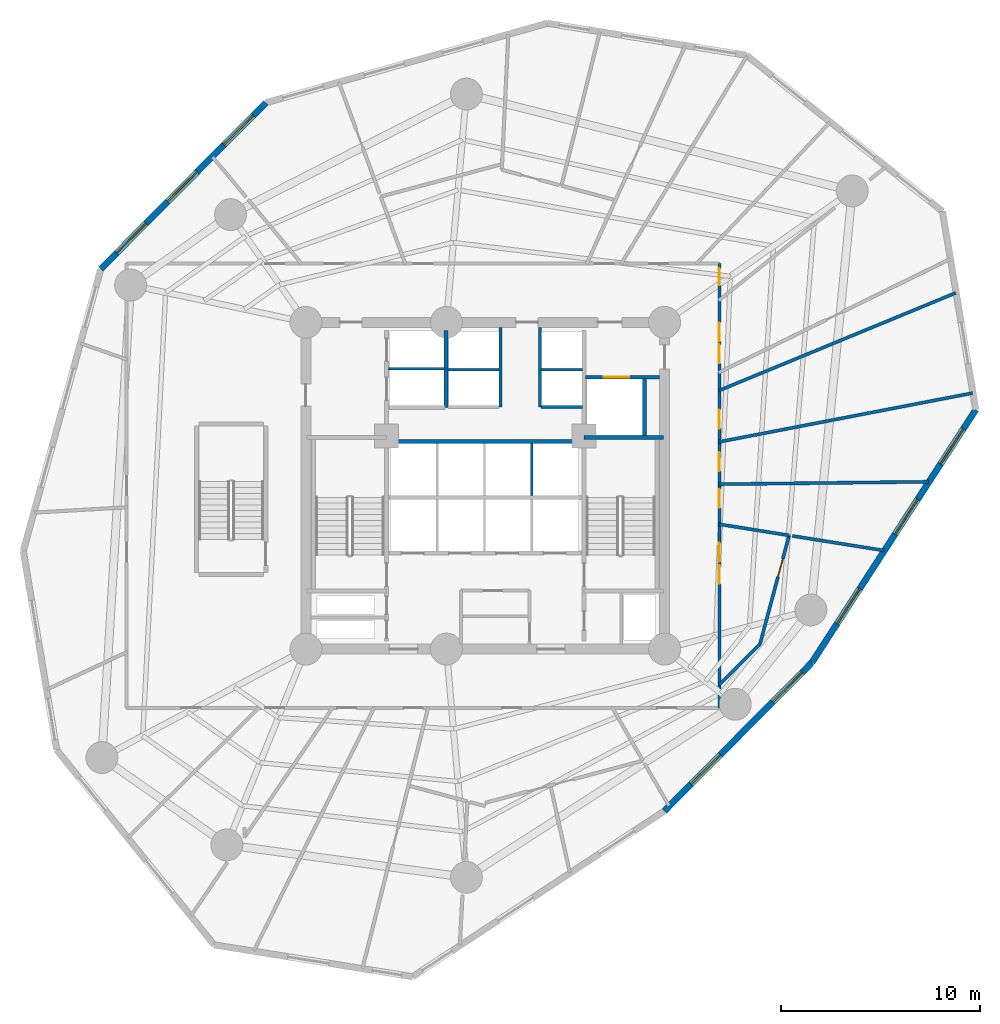
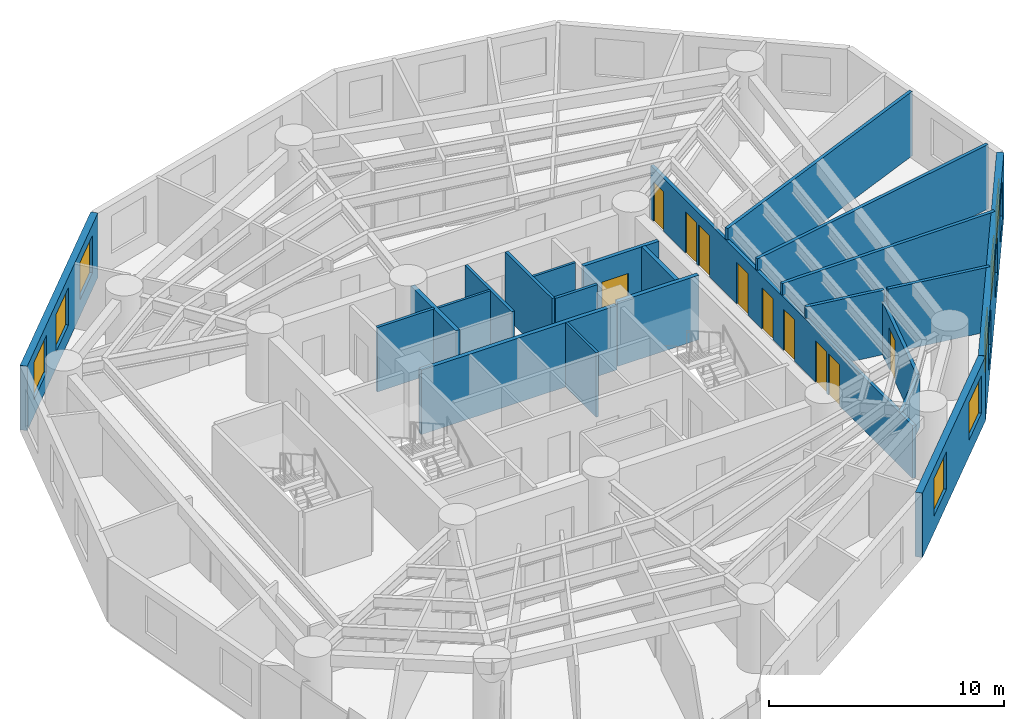
# One storey, part 5 of 8: 23 walls, 10 doors, 8 windows, 18 openings.
"""IFC4 building model written with IfcOpenShell, lengths in metres."""

from ifc_helpers import new_model, si_unit, direction, frame, frame_2d, origin, origin_with_axes, place, context, subcontext, project, spatial, rectangle, extrude, source, transform, mapped, material, layer, layer_set, type_object, element, fill, save


model = new_model("IFC4")

# Units and contexts
model_context = context("Model", 3, precision=1e-05, world=origin(), true_north=direction((0.0, 1.0)))
body_context = subcontext(model_context, "Body", "Model", "MODEL_VIEW")
ifc_project = project(units=[si_unit("LENGTHUNIT", "METRE"), si_unit("AREAUNIT", "SQUARE_METRE"), si_unit("VOLUMEUNIT", "CUBIC_METRE"), si_unit("PLANEANGLEUNIT", "RADIAN"), si_unit("MASSUNIT", "GRAM", prefix="KILO")], contexts=[model_context])

# Site, building, storey
site_placement = place(None, origin())
site = spatial("IfcSite", under=ifc_project, at=site_placement, CompositionType="ELEMENT")
building_placement = place(site_placement, origin())
building = spatial("IfcBuilding", under=site, at=building_placement, Name="Karkom Vertical University and Central Library", CompositionType="ELEMENT")
storey_placement = place(building_placement, frame((0.0, 0.0, 73.300048828125)))
storey = spatial("IfcBuildingStorey", under=building, at=storey_placement, Name="L19", CompositionType="ELEMENT", Elevation=73.300048828125)

# Wall, openings, windows
ifc_material_1 = material(Name="Brick-faced precast concrete C45/55", Category="masonry")
ifc_layer_1 = layer(ifc_material_1, 0.320068359375)
ifc_layer_set_1 = layer_set([ifc_layer_1], Name="Brick-faced precast concrete C45/55")
wall_type_1 = type_object("IfcWallType", Name="ENV-WL-BRK-320", PredefinedType="SOLIDWALL", material=ifc_layer_set_1)
wall_1_placement = place(storey_placement, frame((17.49169921875, 45.73095703125, 0.0), z_axis=(0.0, 0.0, 1.0), x_axis=(-0.704635745624, -0.709569211557, 0.0)))
wall_1 = element("IfcWall", 1, at=wall_1_placement, inside=storey, type_object=wall_type_1, Name="Level 19 Brick-Faced Precast Facade Wall 01", PredefinedType="SOLIDWALL", context=body_context, shape_type="SweptSolid", body=[
    extrude(rectangle(XDim=11.77783203125, YDim=0.320068359375, at=frame_2d((5.888916015625, 0.0))), origin(), (0.0, 0.0, 1.0), 3.349853515625),
])
opening_1_placement = place(wall_1_placement, frame((0.894287109375, 0.0, 0.85009765625)))
opening_1 = element("IfcOpeningElement", 2, at=opening_1_placement, cuts=wall_1, Name="Opening WN-03", PredefinedType="OPENING", context=body_context, shape_type="SweptSolid", body=[
    extrude(rectangle(XDim=2.10009765625, YDim=1.949951171875, at=frame_2d((1.050048828125, 0.97509765625))), frame((0.0, 0.169921875, 0.0), z_axis=(0.0, -1.0, 0.0), x_axis=(1.0, 0.0, 0.0)), (0.0, 0.0, 1.0), 0.340087890625),
])
opening_2_placement = place(wall_1_placement, frame((4.910888671875, 0.0, 0.85009765625)))
opening_2 = element("IfcOpeningElement", 3, at=opening_2_placement, cuts=wall_1, Name="Opening WN-03", PredefinedType="OPENING", context=body_context, shape_type="SweptSolid", body=[
    extrude(rectangle(XDim=2.10009765625, YDim=1.949951171875, at=frame_2d((1.050048828125, 0.97509765625))), frame((0.0, 0.169921875, 0.0), z_axis=(0.0, -1.0, 0.0), x_axis=(1.0, 0.0, 0.0)), (0.0, 0.0, 1.0), 0.340087890625),
])
opening_3_placement = place(wall_1_placement, frame((8.535400390625, 0.0, 0.85009765625)))
opening_3 = element("IfcOpeningElement", 4, at=opening_3_placement, cuts=wall_1, Name="Opening WN-03", PredefinedType="OPENING", context=body_context, shape_type="SweptSolid", body=[
    extrude(rectangle(XDim=2.10009765625, YDim=1.949951171875, at=frame_2d((1.050048828125, 0.97509765625))), frame((0.0, 0.169921875, 0.0), z_axis=(0.0, -1.0, 0.0), x_axis=(1.0, 0.0, 0.0)), (0.0, 0.0, 1.0), 0.340087890625),
])
ifc_material_2 = material(Name="Aluminium thermal-break frame with solar-control IGU", Category="aluminium")
window_type = type_object("IfcWindowType", Name="ENV-WIN-WN-03", PartitioningType="SINGLE_PANEL", PredefinedType="WINDOW", material=ifc_material_2)
shared_shape_1 = source(origin_with_axes(), body_context, "Body", "SweptSolid", [
    extrude(rectangle(XDim=2.10009765625, YDim=1.949951171875, at=frame_2d((1.050048828125, 0.97509765625))), frame((0.0, 0.030029296875, 0.0), z_axis=(0.0, -1.0, 0.0), x_axis=(1.0, 0.0, 0.0)), (0.0, 0.0, 1.0), 0.06005859375),
])
window_1_placement = place(opening_1_placement, origin())
window_1 = element("IfcWindow", 5, at=window_1_placement, inside=storey, type_object=window_type, Name="Level 19 Punched Window 1.1", OverallHeight=1.949951171875, OverallWidth=2.10009765625, PartitioningType="SINGLE_PANEL", PredefinedType="WINDOW", context=body_context, shape_type="MappedRepresentation", body=[
    mapped(shared_shape_1, transform((0.0, 0.0, 0.0), scale=1.0)),
])
fill(opening_1, window_1)
window_2_placement = place(opening_2_placement, origin())
window_2 = element("IfcWindow", 6, at=window_2_placement, inside=storey, type_object=window_type, Name="Level 19 Punched Window 1.2", OverallHeight=1.949951171875, OverallWidth=2.10009765625, PartitioningType="SINGLE_PANEL", PredefinedType="WINDOW", context=body_context, shape_type="MappedRepresentation", body=[
    mapped(shared_shape_1, transform((0.0, 0.0, 0.0), scale=1.0)),
])
fill(opening_2, window_2)
window_3_placement = place(opening_3_placement, origin())
window_3 = element("IfcWindow", 7, at=window_3_placement, inside=storey, type_object=window_type, Name="Level 19 Punched Window 1.3", OverallHeight=1.949951171875, OverallWidth=2.10009765625, PartitioningType="SINGLE_PANEL", PredefinedType="WINDOW", context=body_context, shape_type="MappedRepresentation", body=[
    mapped(shared_shape_1, transform((0.0, 0.0, 0.0), scale=1.0)),
])
fill(opening_3, window_3)

wall_2_placement = place(storey_placement, frame((37.4873046875, 10.16552734375, 0.0), z_axis=(0.0, 0.0, 1.0), x_axis=(0.704618179105, 0.709586655507, 0.0)))
wall_2 = element("IfcWall", 8, at=wall_2_placement, inside=storey, type_object=wall_type_1, Name="Level 19 Brick-Faced Precast Facade Wall 07", PredefinedType="SOLIDWALL", context=body_context, shape_type="SweptSolid", body=[
    extrude(rectangle(XDim=10.515625, YDim=0.320068359375, at=frame_2d((5.2578125, 0.0))), origin(), (0.0, 0.0, 1.0), 3.349853515625),
])
opening_4_placement = place(wall_2_placement, frame((1.899658203125, 0.0, 0.85009765625)))
opening_4 = element("IfcOpeningElement", 9, at=opening_4_placement, cuts=wall_2, Name="Opening WN-03", PredefinedType="OPENING", context=body_context, shape_type="SweptSolid", body=[
    extrude(rectangle(XDim=2.10009765625, YDim=1.949951171875, at=frame_2d((1.050048828125, 0.97509765625))), frame((0.0, 0.169921875, 0.0), z_axis=(0.0, -1.0, 0.0), x_axis=(1.0, 0.0, 0.0)), (0.0, 0.0, 1.0), 0.340087890625),
])
opening_5_placement = place(wall_2_placement, frame((7.724853515625, 0.0, 0.85009765625)))
opening_5 = element("IfcOpeningElement", 10, at=opening_5_placement, cuts=wall_2, Name="Opening WN-03", PredefinedType="OPENING", context=body_context, shape_type="SweptSolid", body=[
    extrude(rectangle(XDim=2.10009765625, YDim=1.949951171875, at=frame_2d((1.050048828125, 0.97509765625))), frame((0.0, 0.169921875, 0.0), z_axis=(0.0, -1.0, 0.0), x_axis=(1.0, 0.0, 0.0)), (0.0, 0.0, 1.0), 0.340087890625),
])
window_4_placement = place(opening_4_placement, origin())
window_4 = element("IfcWindow", 11, at=window_4_placement, inside=storey, type_object=window_type, Name="Level 19 Punched Window 7.1", OverallHeight=1.949951171875, OverallWidth=2.10009765625, PartitioningType="SINGLE_PANEL", PredefinedType="WINDOW", context=body_context, shape_type="MappedRepresentation", body=[
    mapped(shared_shape_1, transform((0.0, 0.0, 0.0), scale=1.0)),
])
fill(opening_4, window_4)
window_5_placement = place(opening_5_placement, origin())
window_5 = element("IfcWindow", 12, at=window_5_placement, inside=storey, type_object=window_type, Name="Level 19 Punched Window 7.2", OverallHeight=1.949951171875, OverallWidth=2.10009765625, PartitioningType="SINGLE_PANEL", PredefinedType="WINDOW", context=body_context, shape_type="MappedRepresentation", body=[
    mapped(shared_shape_1, transform((0.0, 0.0, 0.0), scale=1.0)),
])
fill(opening_5, window_5)

wall_3_placement = place(storey_placement, frame((44.896728515625, 17.627197265625, 0.0), z_axis=(0.0, 0.0, 1.0), x_axis=(0.543977970207, 0.83909949823, 0.0)))
wall_3 = element("IfcWall", 13, at=wall_3_placement, inside=storey, type_object=wall_type_1, Name="Level 19 Brick-Faced Precast Facade Wall 08", PredefinedType="SOLIDWALL", context=body_context, shape_type="SweptSolid", body=[
    extrude(rectangle(XDim=15.123779296875, YDim=0.320068359375, at=frame_2d((7.56201171875, 0.0))), origin(), (0.0, 0.0, 1.0), 3.349853515625),
])
opening_6_placement = place(wall_3_placement, frame((2.312744140625, 0.0, 0.85009765625)))
opening_6 = element("IfcOpeningElement", 14, at=opening_6_placement, cuts=wall_3, Name="Opening WN-03", PredefinedType="OPENING", context=body_context, shape_type="SweptSolid", body=[
    extrude(rectangle(XDim=2.10009765625, YDim=1.949951171875, at=frame_2d((1.050048828125, 0.97509765625))), frame((0.0, 0.169921875, 0.0), z_axis=(0.0, -1.0, 0.0), x_axis=(1.0, 0.0, 0.0)), (0.0, 0.0, 1.0), 0.340087890625),
])
opening_7_placement = place(wall_3_placement, frame((7.66650390625, 0.0, 0.85009765625)))
opening_7 = element("IfcOpeningElement", 15, at=opening_7_placement, cuts=wall_3, Name="Opening WN-03", PredefinedType="OPENING", context=body_context, shape_type="SweptSolid", body=[
    extrude(rectangle(XDim=2.10009765625, YDim=1.949951171875, at=frame_2d((1.050048828125, 0.97509765625))), frame((0.0, 0.169921875, 0.0), z_axis=(0.0, -1.0, 0.0), x_axis=(1.0, 0.0, 0.0)), (0.0, 0.0, 1.0), 0.340087890625),
])
opening_8_placement = place(wall_3_placement, frame((11.86572265625, 0.0, 0.85009765625)))
opening_8 = element("IfcOpeningElement", 16, at=opening_8_placement, cuts=wall_3, Name="Opening WN-03", PredefinedType="OPENING", context=body_context, shape_type="SweptSolid", body=[
    extrude(rectangle(XDim=2.10009765625, YDim=1.949951171875, at=frame_2d((1.050048828125, 0.97509765625))), frame((0.0, 0.169921875, 0.0), z_axis=(0.0, -1.0, 0.0), x_axis=(1.0, 0.0, 0.0)), (0.0, 0.0, 1.0), 0.340087890625),
])
window_6_placement = place(opening_6_placement, origin())
window_6 = element("IfcWindow", 17, at=window_6_placement, inside=storey, type_object=window_type, Name="Level 19 Punched Window 8.1", OverallHeight=1.949951171875, OverallWidth=2.10009765625, PartitioningType="SINGLE_PANEL", PredefinedType="WINDOW", context=body_context, shape_type="MappedRepresentation", body=[
    mapped(shared_shape_1, transform((0.0, 0.0, 0.0), scale=1.0)),
])
fill(opening_6, window_6)
window_7_placement = place(opening_7_placement, origin())
window_7 = element("IfcWindow", 18, at=window_7_placement, inside=storey, type_object=window_type, Name="Level 19 Punched Window 8.2", OverallHeight=1.949951171875, OverallWidth=2.10009765625, PartitioningType="SINGLE_PANEL", PredefinedType="WINDOW", context=body_context, shape_type="MappedRepresentation", body=[
    mapped(shared_shape_1, transform((0.0, 0.0, 0.0), scale=1.0)),
])
fill(opening_7, window_7)
window_8_placement = place(opening_8_placement, origin())
window_8 = element("IfcWindow", 19, at=window_8_placement, inside=storey, type_object=window_type, Name="Level 19 Punched Window 8.3", OverallHeight=1.949951171875, OverallWidth=2.10009765625, PartitioningType="SINGLE_PANEL", PredefinedType="WINDOW", context=body_context, shape_type="MappedRepresentation", body=[
    mapped(shared_shape_1, transform((0.0, 0.0, 0.0), scale=1.0)),
])
fill(opening_8, window_8)

# Wall, openings, doors
ifc_material_3 = material(Name="Insulated metal-stud drywall 160mm", Category="gypsum")
ifc_layer_2 = layer(ifc_material_3, 0.159912109375)
ifc_layer_set_2 = layer_set([ifc_layer_2], Name="Insulated metal-stud drywall 160mm")
wall_type_2 = type_object("IfcWallType", Name="INT-WL-COR-160", PredefinedType="PARTITIONING", material=ifc_layer_set_2)
wall_4_placement = place(storey_placement, frame((40.25, 37.64990234375, 0.0), z_axis=(0.0, 0.0, 1.0), x_axis=(0.0, -1.0, 0.0)))
wall_4 = element("IfcWall", 20, at=wall_4_placement, inside=storey, type_object=wall_type_2, Name="Level 19 Interior Partition Wall L19-CORW-CW-004", PredefinedType="PARTITIONING", context=body_context, shape_type="SweptSolid", body=[
    extrude(rectangle(XDim=22.2998046875, YDim=0.159912109375, at=frame_2d((11.14990234375, 0.0))), origin(), (0.0, 0.0, 1.0), 2.75),
])
opening_9_placement = place(wall_4_placement, frame((14.02001953125, 0.0, 0.0)))
opening_9 = element("IfcOpeningElement", 21, at=opening_9_placement, cuts=wall_4, Name="Opening D-RM1", PredefinedType="OPENING", context=body_context, shape_type="SweptSolid", body=[
    extrude(rectangle(XDim=0.949951171875, YDim=2.14990234375, at=frame_2d((0.47509765625, 1.074951171875))), frame((0.0, 0.08984375, 0.0), z_axis=(0.0, -1.0, 0.0), x_axis=(1.0, 0.0, 0.0)), (0.0, 0.0, 1.0), 0.179931640625),
])
opening_10_placement = place(wall_4_placement, frame((11.31494140625, 0.0, 0.0)))
opening_10 = element("IfcOpeningElement", 22, at=opening_10_placement, cuts=wall_4, Name="Opening D-RM1", PredefinedType="OPENING", context=body_context, shape_type="SweptSolid", body=[
    extrude(rectangle(XDim=0.949951171875, YDim=2.14990234375, at=frame_2d((0.47509765625, 1.074951171875))), frame((0.0, 0.08984375, 0.0), z_axis=(0.0, -1.0, 0.0), x_axis=(1.0, 0.0, 0.0)), (0.0, 0.0, 1.0), 0.179931640625),
])
opening_11_placement = place(wall_4_placement, frame((9.467529296875, 0.0, 0.0)))
opening_11 = element("IfcOpeningElement", 23, at=opening_11_placement, cuts=wall_4, Name="Opening D-RM1", PredefinedType="OPENING", context=body_context, shape_type="SweptSolid", body=[
    extrude(rectangle(XDim=0.949951171875, YDim=2.14990234375, at=frame_2d((0.47509765625, 1.074951171875))), frame((0.0, 0.08984375, 0.0), z_axis=(0.0, -1.0, 0.0), x_axis=(1.0, 0.0, 0.0)), (0.0, 0.0, 1.0), 0.179931640625),
])
opening_12_placement = place(wall_4_placement, frame((7.330078125, 0.0, 0.0)))
opening_12 = element("IfcOpeningElement", 24, at=opening_12_placement, cuts=wall_4, Name="Opening D-RM1", PredefinedType="OPENING", context=body_context, shape_type="SweptSolid", body=[
    extrude(rectangle(XDim=0.949951171875, YDim=2.14990234375, at=frame_2d((0.47509765625, 1.074951171875))), frame((0.0, 0.08984375, 0.0), z_axis=(0.0, -1.0, 0.0), x_axis=(1.0, 0.0, 0.0)), (0.0, 0.0, 1.0), 0.179931640625),
])
opening_13_placement = place(wall_4_placement, frame((4.06005859375, 0.0, 0.0)))
opening_13 = element("IfcOpeningElement", 25, at=opening_13_placement, cuts=wall_4, Name="Opening D-RM1", PredefinedType="OPENING", context=body_context, shape_type="SweptSolid", body=[
    extrude(rectangle(XDim=0.949951171875, YDim=2.14990234375, at=frame_2d((0.47509765625, 1.074951171875))), frame((0.0, 0.08984375, 0.0), z_axis=(0.0, -1.0, 0.0), x_axis=(1.0, 0.0, 0.0)), (0.0, 0.0, 1.0), 0.179931640625),
])
opening_14_placement = place(wall_4_placement, frame((2.95849609375, 0.0, 0.0)))
opening_14 = element("IfcOpeningElement", 26, at=opening_14_placement, cuts=wall_4, Name="Opening D-RM1", PredefinedType="OPENING", context=body_context, shape_type="SweptSolid", body=[
    extrude(rectangle(XDim=0.949951171875, YDim=2.14990234375, at=frame_2d((0.47509765625, 1.074951171875))), frame((0.0, 0.08984375, 0.0), z_axis=(0.0, -1.0, 0.0), x_axis=(1.0, 0.0, 0.0)), (0.0, 0.0, 1.0), 0.179931640625),
])
opening_15_placement = place(wall_4_placement, frame((15.13134765625, 0.0, 0.0)))
opening_15 = element("IfcOpeningElement", 27, at=opening_15_placement, cuts=wall_4, Name="Opening D-RM1", PredefinedType="OPENING", context=body_context, shape_type="SweptSolid", body=[
    extrude(rectangle(XDim=0.949951171875, YDim=2.14990234375, at=frame_2d((0.47509765625, 1.074951171875))), frame((0.0, 0.08984375, 0.0), z_axis=(0.0, -1.0, 0.0), x_axis=(1.0, 0.0, 0.0)), (0.0, 0.0, 1.0), 0.179931640625),
])
opening_16_placement = place(wall_4_placement, frame((0.239990234375, 0.0, 0.0)))
opening_16 = element("IfcOpeningElement", 28, at=opening_16_placement, cuts=wall_4, Name="Opening FD-BTH2", PredefinedType="OPENING", context=body_context, shape_type="SweptSolid", body=[
    extrude(rectangle(XDim=0.860107421875, YDim=2.0400390625, at=frame_2d((0.43017578125, 1.02001953125))), frame((0.0, 0.08984375, 0.0), z_axis=(0.0, -1.0, 0.0), x_axis=(1.0, 0.0, 0.0)), (0.0, 0.0, 1.0), 0.179931640625),
])
ifc_material_4 = material(Name="Fire-rated moisture-resistant oak door", Category="wood")
door_type_1 = type_object("IfcDoorType", Name="INT-DR-FBTH2", OperationType="NOTDEFINED", PredefinedType="DOOR", material=ifc_material_4)
shared_shape_2 = source(origin_with_axes(), body_context, "Body", "SweptSolid", [
    extrude(rectangle(XDim=0.860107421875, YDim=2.0400390625, at=frame_2d((0.43017578125, 1.02001953125))), frame((0.0, 0.02490234375, 0.0), z_axis=(0.0, -1.0, 0.0), x_axis=(1.0, 0.0, 0.0)), (0.0, 0.0, 1.0), 0.050048828125),
])
door_1_placement = place(opening_16_placement, origin())
door_1 = element("IfcDoor", 29, at=door_1_placement, inside=storey, type_object=door_type_1, Name="Level 19 Faculty Support and Campus Staff Room Entry Door", OperationType="SINGLE_SWING_RIGHT", OverallHeight=2.0400390625, OverallWidth=0.860107421875, PredefinedType="DOOR", context=body_context, shape_type="MappedRepresentation", body=[
    mapped(shared_shape_2, transform((0.0, 0.0, 0.0), scale=1.0)),
])
fill(opening_16, door_1)
ifc_material_5 = material(Name="Solid-core oak veneer door", Category="wood")
door_type_2 = type_object("IfcDoorType", Name="INT-DR-RM1", OperationType="NOTDEFINED", PredefinedType="DOOR", material=ifc_material_5)
shared_shape_3 = source(origin_with_axes(), body_context, "Body", "SweptSolid", [
    extrude(rectangle(XDim=0.949951171875, YDim=2.14990234375, at=frame_2d((0.47509765625, 1.074951171875))), frame((0.0, 0.02490234375, 0.0), z_axis=(0.0, -1.0, 0.0), x_axis=(1.0, 0.0, 0.0)), (0.0, 0.0, 1.0), 0.050048828125),
])
door_2_placement = place(opening_9_placement, origin())
door_2 = element("IfcDoor", 30, at=door_2_placement, inside=storey, type_object=door_type_2, Name="Level 19 Room Entry Door 100", OperationType="SINGLE_SWING_LEFT", OverallHeight=2.14990234375, OverallWidth=0.949951171875, PredefinedType="DOOR", context=body_context, shape_type="MappedRepresentation", body=[
    mapped(shared_shape_3, transform((0.0, 0.0, 0.0), scale=1.0)),
])
fill(opening_9, door_2)
door_3_placement = place(opening_10_placement, origin())
door_3 = element("IfcDoor", 31, at=door_3_placement, inside=storey, type_object=door_type_2, Name="Level 19 Room Entry Door 120", OperationType="SINGLE_SWING_RIGHT", OverallHeight=2.14990234375, OverallWidth=0.949951171875, PredefinedType="DOOR", context=body_context, shape_type="MappedRepresentation", body=[
    mapped(shared_shape_3, transform((0.0, 0.0, 0.0), scale=1.0)),
])
fill(opening_10, door_3)
door_4_placement = place(opening_11_placement, origin())
door_4 = element("IfcDoor", 32, at=door_4_placement, inside=storey, type_object=door_type_2, Name="Level 19 Room Entry Door 130", OperationType="SINGLE_SWING_LEFT", OverallHeight=2.14990234375, OverallWidth=0.949951171875, PredefinedType="DOOR", context=body_context, shape_type="MappedRepresentation", body=[
    mapped(shared_shape_3, transform((0.0, 0.0, 0.0), scale=1.0)),
])
fill(opening_11, door_4)
door_5_placement = place(opening_12_placement, origin())
door_5 = element("IfcDoor", 33, at=door_5_placement, inside=storey, type_object=door_type_2, Name="Level 19 Room Entry Door 140", OperationType="SINGLE_SWING_RIGHT", OverallHeight=2.14990234375, OverallWidth=0.949951171875, PredefinedType="DOOR", context=body_context, shape_type="MappedRepresentation", body=[
    mapped(shared_shape_3, transform((0.0, 0.0, 0.0), scale=1.0)),
])
fill(opening_12, door_5)
door_6_placement = place(opening_13_placement, origin())
door_6 = element("IfcDoor", 34, at=door_6_placement, inside=storey, type_object=door_type_2, Name="Level 19 Room Entry Door 150", OperationType="SINGLE_SWING_LEFT", OverallHeight=2.14990234375, OverallWidth=0.949951171875, PredefinedType="DOOR", context=body_context, shape_type="MappedRepresentation", body=[
    mapped(shared_shape_3, transform((0.0, 0.0, 0.0), scale=1.0)),
])
fill(opening_13, door_6)
door_7_placement = place(opening_14_placement, origin())
door_7 = element("IfcDoor", 35, at=door_7_placement, inside=storey, type_object=door_type_2, Name="Level 19 Room Entry Door 160", OperationType="SINGLE_SWING_RIGHT", OverallHeight=2.14990234375, OverallWidth=0.949951171875, PredefinedType="DOOR", context=body_context, shape_type="MappedRepresentation", body=[
    mapped(shared_shape_3, transform((0.0, 0.0, 0.0), scale=1.0)),
])
fill(opening_14, door_7)
door_8_placement = place(opening_15_placement, origin())
door_8 = element("IfcDoor", 36, at=door_8_placement, inside=storey, type_object=door_type_2, Name="Level 19 Room Entry Door 170", OperationType="SINGLE_SWING_LEFT", OverallHeight=2.14990234375, OverallWidth=0.949951171875, PredefinedType="DOOR", context=body_context, shape_type="MappedRepresentation", body=[
    mapped(shared_shape_3, transform((0.0, 0.0, 0.0), scale=1.0)),
])
fill(opening_15, door_8)

# Walls
wall_5_placement = place(storey_placement, frame((40.205810546875, 28.694091796875, 0.0), z_axis=(0.0, 0.0, 1.0), x_axis=(0.981944985682, 0.189166712438, 0.0)))
element("IfcWall", 37, at=wall_5_placement, inside=storey, type_object=wall_type_2, Name="Level 19 Interior Partition Wall L19-PW-023", PredefinedType="PARTITIONING", context=body_context, shape_type="SweptSolid", body=[
    extrude(rectangle(XDim=12.9873046875, YDim=0.159912109375, at=frame_2d((6.49365234375, 0.0))), origin(), (0.0, 0.0, 1.0), 3.349853515625),
])
wall_6_placement = place(storey_placement, frame((40.222412109375, 31.27197265625, 0.0), z_axis=(0.0, 0.0, 1.0), x_axis=(0.924393266865, 0.381440805598, 0.0)))
element("IfcWall", 38, at=wall_6_placement, inside=storey, type_object=wall_type_2, Name="Level 19 Interior Partition Wall L19-PW-024", PredefinedType="PARTITIONING", context=body_context, shape_type="SweptSolid", body=[
    extrude(rectangle(XDim=12.86376953125, YDim=0.159912109375, at=frame_2d((6.431884765625, 0.0))), origin(), (0.0, 0.0, 1.0), 3.349853515625),
])
wall_7_placement = place(storey_placement, frame((40.205078125, 26.57568359375, 0.0), z_axis=(0.0, 0.0, 1.0), x_axis=(0.999932806469, 0.011592348611, 0.0)))
element("IfcWall", 39, at=wall_7_placement, inside=storey, type_object=wall_type_2, Name="Level 19 Interior Partition Wall L19-PW-022", PredefinedType="PARTITIONING", context=body_context, shape_type="SweptSolid", body=[
    extrude(rectangle(XDim=10.5302734375, YDim=0.159912109375, at=frame_2d((5.26513671875, 0.0))), origin(), (0.0, 0.0, 1.0), 3.349853515625),
])

# Wall, opening, door
wall_8_placement = place(storey_placement, frame((43.749267578125, 24.007080078125, 0.0), z_axis=(0.0, 0.0, 1.0), x_axis=(-0.258836010218, -0.96592128034, 0.0)))
wall_8 = element("IfcWall", 40, at=wall_8_placement, inside=storey, type_object=wall_type_2, Name="Level 19 Interior Partition Wall L19-PW-018", PredefinedType="PARTITIONING", context=body_context, shape_type="SweptSolid", body=[
    extrude(rectangle(XDim=5.658447265625, YDim=0.159912109375, at=frame_2d((2.8291015625, 0.0))), origin(), (0.0, 0.0, 1.0), 2.75),
])
opening_17_placement = place(wall_8_placement, frame((1.21435546875, 0.0, 0.0)))
opening_17 = element("IfcOpeningElement", 41, at=opening_17_placement, cuts=wall_8, Name="Opening D-RM1", PredefinedType="OPENING", context=body_context, shape_type="SweptSolid", body=[
    extrude(rectangle(XDim=0.949951171875, YDim=2.14990234375, at=frame_2d((0.47509765625, 1.074951171875))), frame((0.0, 0.08984375, 0.0), z_axis=(0.0, -1.0, 0.0), x_axis=(1.0, 0.0, 0.0)), (0.0, 0.0, 1.0), 0.179931640625),
])
door_9_placement = place(opening_17_placement, origin())
door_9 = element("IfcDoor", 42, at=door_9_placement, inside=storey, type_object=door_type_2, Name="Level 19 Room Entry Door 110", OperationType="SINGLE_SWING_LEFT", OverallHeight=2.14990234375, OverallWidth=0.949951171875, PredefinedType="DOOR", context=body_context, shape_type="MappedRepresentation", body=[
    mapped(shared_shape_3, transform((0.0, 0.0, 0.0), scale=1.0)),
])
fill(opening_17, door_9)

# Walls
wall_9_placement = place(storey_placement, frame((43.907958984375, 23.98193359375, 0.0), z_axis=(0.0, 0.0, 1.0), x_axis=(0.987518082434, -0.157505672485, 0.0)))
element("IfcWall", 43, at=wall_9_placement, inside=storey, type_object=wall_type_2, Name="Level 19 Interior Partition Wall L19-PW-021", PredefinedType="PARTITIONING", context=body_context, shape_type="SweptSolid", body=[
    extrude(rectangle(XDim=4.65478515625, YDim=0.159912109375, at=frame_2d((2.327392578125, 0.0))), origin(), (0.0, 0.0, 1.0), 3.349853515625),
])
wall_10_placement = place(storey_placement, frame((40.220458984375, 24.570068359375, 0.0), z_axis=(0.0, 0.0, 1.0), x_axis=(0.98751130527, -0.1575481576, 0.0)))
element("IfcWall", 44, at=wall_10_placement, inside=storey, type_object=wall_type_2, Name="Level 19 Interior Partition Wall L19-PW-020", PredefinedType="PARTITIONING", context=body_context, shape_type="SweptSolid", body=[
    extrude(rectangle(XDim=3.573486328125, YDim=0.159912109375, at=frame_2d((1.78662109375, 0.0))), origin(), (0.0, 0.0, 1.0), 3.349853515625),
])
wall_11_placement = place(storey_placement, frame((42.28466796875, 18.54150390625, 0.0), z_axis=(0.0, 0.0, 1.0), x_axis=(-0.707106781187, -0.707106781187, 0.0)))
element("IfcWall", 45, at=wall_11_placement, inside=storey, type_object=wall_type_2, Name="Level 19 Interior Partition Wall L19-PW-019", PredefinedType="PARTITIONING", context=body_context, shape_type="SweptSolid", body=[
    extrude(rectangle(XDim=2.907470703125, YDim=0.159912109375, at=frame_2d((1.45361328125, 0.0))), origin(), (0.0, 0.0, 1.0), 2.75),
])
ifc_material_6 = material(Name="Moisture-resistant drywall 120mm", Category="gypsum")
ifc_layer_3 = layer(ifc_material_6, 0.1201171875)
ifc_layer_set_3 = layer_set([ifc_layer_3], Name="Moisture-resistant drywall 120mm")
wall_type_3 = type_object("IfcWallType", Name="INT-WL-INT-120H", PredefinedType="PARTITIONING", material=ifc_layer_set_3)
wall_12_placement = place(storey_placement, frame((30.840087890625, 26.02001953125, 0.0), z_axis=(0.0, 0.0, 1.0), x_axis=(0.0, 1.0, 0.0)))
element("IfcWall", 46, at=wall_12_placement, inside=storey, type_object=wall_type_3, Name="Level 19 Interior Partition Wall L19-CW-PM-DIV3", PredefinedType="PARTITIONING", context=body_context, shape_type="SweptSolid", body=[
    extrude(rectangle(XDim=2.60009765625, YDim=0.1201171875, at=frame_2d((1.300048828125, 0.0))), origin(), (0.0, 0.0, 1.0), 3.349853515625),
])
wall_13_placement = place(storey_placement, frame((26.6201171875, 32.320068359375, 0.0), z_axis=(0.0, 0.0, 1.0), x_axis=(1.0, 0.0, 0.0)))
element("IfcWall", 47, at=wall_13_placement, inside=storey, type_object=wall_type_3, Name="Level 19 Interior Partition Wall L19-CW-PH-MW", PredefinedType="PARTITIONING", context=body_context, shape_type="SweptSolid", body=[
    extrude(rectangle(XDim=2.579833984375, YDim=0.1201171875, at=frame_2d((1.2900390625, 0.0))), origin(), (0.0, 0.0, 1.0), 3.349853515625),
])
wall_14_placement = place(storey_placement, frame((31.300048828125, 32.320068359375, 0.0), z_axis=(0.0, 0.0, 1.0), x_axis=(1.0, 0.0, 0.0)))
element("IfcWall", 48, at=wall_14_placement, inside=storey, type_object=wall_type_3, Name="Level 19 Interior Partition Wall L19-CW-PH-ME", PredefinedType="PARTITIONING", context=body_context, shape_type="SweptSolid", body=[
    extrude(rectangle(XDim=2.074951171875, YDim=0.1201171875, at=frame_2d((1.03759765625, 0.0))), origin(), (0.0, 0.0, 1.0), 3.349853515625),
])
ifc_material_7 = material(Name="Metal-stud gypsum partition 140mm", Category="gypsum")
ifc_layer_4 = layer(ifc_material_7, 0.139892578125)
ifc_layer_set_4 = layer_set([ifc_layer_4], Name="Metal-stud gypsum partition 140mm")
wall_type_4 = type_object("IfcWallType", Name="INT-WL-SUB-140H", PredefinedType="PARTITIONING", material=ifc_layer_set_4)
for number, where, z_axis, x_axis, name in (
    (49, (29.260009765625, 30.449951171875, 0.0), (0.0, 0.0, 1.0), (0.0, 1.0, 0.0), "Level 19 Interior Partition Wall L19-CW-PH-W"),
    (50, (31.239990234375, 30.449951171875, 0.0), (0.0, 0.0, 1.0), (0.0, 1.0, 0.0), "Level 19 Interior Partition Wall L19-CW-PH-E"),
):
    element("IfcWall", number, at=place(storey_placement, frame(where, z_axis=z_axis, x_axis=x_axis)), inside=storey, type_object=wall_type_4, Name=name, PredefinedType="PARTITIONING", context=body_context, shape_type="SweptSolid", body=[
        extrude(rectangle(XDim=3.9931640625, YDim=0.139892578125, at=frame_2d((1.99658203125, 0.0))), origin(), (0.0, 0.0, 1.0), 3.349853515625),
    ])
wall_15_placement = place(storey_placement, frame((31.300048828125, 30.449951171875, 0.0), z_axis=(0.0, 0.0, 1.0), x_axis=(1.0, 0.0, 0.0)))
element("IfcWall", 51, at=wall_15_placement, inside=storey, type_object=wall_type_4, Name="Level 19 Interior Partition Wall L19-CW-PH-S2", PredefinedType="PARTITIONING", context=body_context, shape_type="SweptSolid", body=[
    extrude(rectangle(XDim=2.074951171875, YDim=0.139892578125, at=frame_2d((1.03759765625, 0.0))), origin(), (0.0, 0.0, 1.0), 3.349853515625),
])
ifc_layer_5 = layer(ifc_material_7, 0.139892578125)
ifc_layer_set_5 = layer_set([ifc_layer_5], Name="Metal-stud gypsum partition 140mm")
wall_type_5 = type_object("IfcWallType", Name="INT-WL-SUB-140X", PredefinedType="PARTITIONING", material=ifc_layer_set_5)
wall_16_placement = place(storey_placement, frame((23.652099609375, 32.3701171875, 0.0), z_axis=(0.0, 0.0, 1.0), x_axis=(1.0, 0.0, 0.0)))
element("IfcWall", 52, at=wall_16_placement, inside=storey, type_object=wall_type_5, Name="Level 19 Interior Partition Wall L19-CW-FFL-M", PredefinedType="PARTITIONING", context=body_context, shape_type="SweptSolid", body=[
    extrude(rectangle(XDim=2.827880859375, YDim=0.139892578125, at=frame_2d((1.4140625, 0.0))), origin(), (0.0, 0.0, 1.0), 3.349853515625),
])

# Wall, opening, door
ifc_material_8 = material(Name="Twin-stud acoustic drywall 180mm", Category="gypsum")
ifc_layer_6 = layer(ifc_material_8, 0.179931640625)
ifc_layer_set_6 = layer_set([ifc_layer_6], Name="Twin-stud acoustic drywall 180mm")
wall_type_6 = type_object("IfcWallType", Name="INT-WL-TEN-180F", PredefinedType="PARTITIONING", material=ifc_layer_set_6)
wall_17_placement = place(storey_placement, frame((33.534912109375, 31.949951171875, 0.0), z_axis=(0.0, 0.0, 1.0), x_axis=(1.0, 0.0, 0.0)))
wall_17 = element("IfcWall", 53, at=wall_17_placement, inside=storey, type_object=wall_type_6, Name="Level 19 Interior Partition Wall L19-CW-SVL-N", PredefinedType="PARTITIONING", context=body_context, shape_type="SweptSolid", body=[
    extrude(rectangle(XDim=3.708740234375, YDim=0.179931640625, at=frame_2d((1.8544921875, 0.0))), origin(), (0.0, 0.0, 1.0), 3.349853515625),
])
opening_18_placement = place(wall_17_placement, frame((0.89990234375, 0.0, 0.0)))
opening_18 = element("IfcOpeningElement", 54, at=opening_18_placement, cuts=wall_17, Name="Opening LD-SV1", PredefinedType="OPENING", context=body_context, shape_type="SweptSolid", body=[
    extrude(rectangle(XDim=1.300048828125, YDim=2.199951171875, at=frame_2d((0.64990234375, 1.10009765625))), frame((0.0, 0.10009765625, 0.0), z_axis=(0.0, -1.0, 0.0), x_axis=(1.0, 0.0, 0.0)), (0.0, 0.0, 1.0), 0.199951171875),
])
ifc_material_9 = material(Name="Brushed stainless-steel landing door", Category="steel")
door_type_3 = type_object("IfcDoorType", Name="INT-DR-LD-SV1", OperationType="SLIDING_TO_LEFT", PredefinedType="DOOR", material=ifc_material_9)
shared_shape_4 = source(origin_with_axes(), body_context, "Body", "SweptSolid", [
    extrude(rectangle(XDim=1.300048828125, YDim=2.199951171875, at=frame_2d((0.64990234375, 1.10009765625))), frame((0.0, 0.02490234375, 0.0), z_axis=(0.0, -1.0, 0.0), x_axis=(1.0, 0.0, 0.0)), (0.0, 0.0, 1.0), 0.050048828125),
])
door_10_placement = place(opening_18_placement, origin())
door_10 = element("IfcDoor", 55, at=door_10_placement, inside=storey, type_object=door_type_3, Name="Level 19 Service Lift Landing Door LD-SV1", OperationType="SLIDING_TO_LEFT", OverallHeight=2.199951171875, OverallWidth=1.300048828125, PredefinedType="DOOR", context=body_context, shape_type="MappedRepresentation", body=[
    mapped(shared_shape_4, transform((0.0, 0.0, 0.0), scale=1.0)),
])
fill(opening_18, door_10)

# Walls
ifc_material_10 = material(Name="Concrete C45/55", Category="concrete")
ifc_layer_7 = layer(ifc_material_10, 0.199951171875)
ifc_layer_set_7 = layer_set([ifc_layer_7], Name="Concrete C45/55")
wall_type_7 = type_object("IfcWallType", Name="STR-WL-ST-200", PredefinedType="SHEAR", material=ifc_layer_set_7)
wall_18_placement = place(storey_placement, frame((23.699951171875, 28.719970703125, 0.0), z_axis=(0.0, 0.0, 1.0), x_axis=(1.0, 0.0, 0.0)))
element("IfcWall", 56, at=wall_18_placement, inside=storey, type_object=wall_type_7, Name="Level 19 Core Shaft Wall L19-CW-B2-N", PredefinedType="SHEAR", context=body_context, shape_type="SweptSolid", body=[
    extrude(rectangle(XDim=9.60009765625, YDim=0.199951171875, at=frame_2d((4.800048828125, 0.0))), origin(), (0.0, 0.0, 1.0), 3.349853515625),
])
wall_19_placement = place(storey_placement, frame((33.455078125, 28.925048828125, 0.0), z_axis=(0.0, 0.0, 1.0), x_axis=(1.0, 0.0, 0.0)))
element("IfcWall", 57, at=wall_19_placement, inside=storey, type_object=wall_type_7, Name="Level 19 Core Shaft Wall L19-CW-ST2-N", PredefinedType="SHEAR", context=body_context, shape_type="SweptSolid", body=[
    extrude(rectangle(XDim=3.994873046875, YDim=0.199951171875, at=frame_2d((1.99755859375, 0.0))), origin(), (0.0, 0.0, 1.0), 3.349853515625),
])
wall_20_placement = place(storey_placement, frame((26.52001953125, 30.419921875, 0.0), z_axis=(0.0, 0.0, 1.0), x_axis=(0.0, 1.0, 0.0)))
element("IfcWall", 58, at=wall_20_placement, inside=storey, type_object=wall_type_7, Name="Level 19 Core Shaft Wall L19-CW-FFL-E", PredefinedType="SHEAR", context=body_context, shape_type="SweptSolid", body=[
    extrude(rectangle(XDim=3.860107421875, YDim=0.199951171875, at=frame_2d((1.93017578125, 0.0))), origin(), (0.0, 0.0, 1.0), 3.349853515625),
])
wall_21_placement = place(storey_placement, frame((36.47998046875, 29.02001953125, 0.0), z_axis=(0.0, 0.0, 1.0), x_axis=(0.0, 1.0, 0.0)))
element("IfcWall", 59, at=wall_21_placement, inside=storey, type_object=wall_type_7, Name="Level 19 Core Shaft Wall L19-CW-SVL-E", PredefinedType="SHEAR", context=body_context, shape_type="SweptSolid", body=[
    extrude(rectangle(XDim=2.85986328125, YDim=0.199951171875, at=frame_2d((1.429931640625, 0.0))), origin(), (0.0, 0.0, 1.0), 3.349853515625),
])

save(model, "model.ifc")
